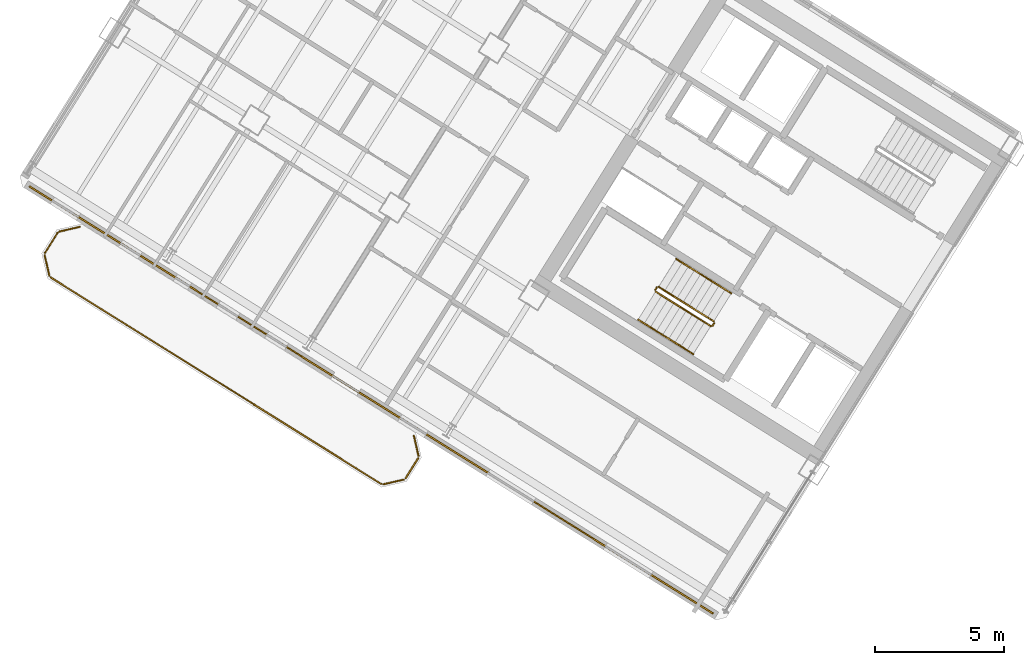
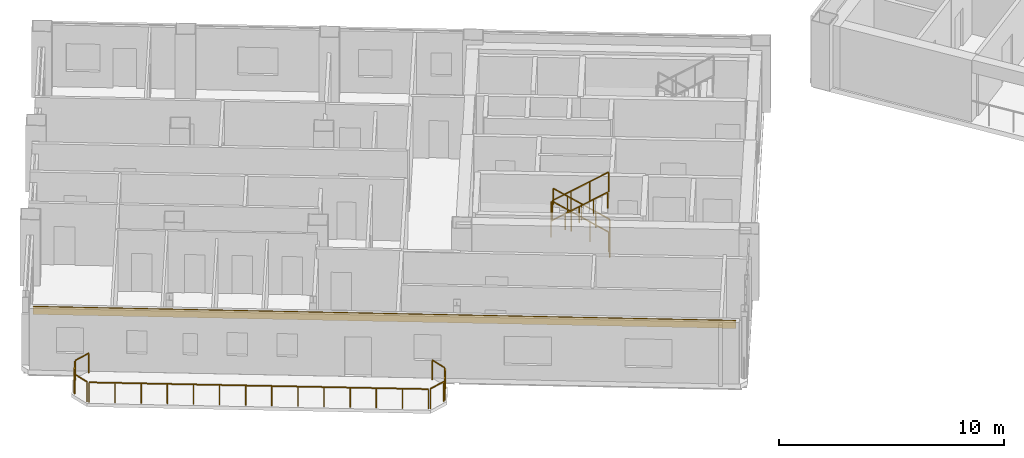
# One storey, part 15 of 19: 15 railings, 1 covering.
"""IFC4 building model written with IfcOpenShell, lengths in metres."""

from ifc_helpers import new_model, si_unit, direction, frame, origin, origin_2d, place, context, subcontext, project, spatial, rectangle, extrude, source, transform, mapped, material, layer, layer_set, type_object, element, save


model = new_model("IFC4")

# Units and contexts
model_context = context("Model", 3, precision=1e-05, world=origin(), true_north=direction((0.0, 1.0)))
body_context = subcontext(model_context, "Body", "Model", "MODEL_VIEW")
ifc_project = project(units=[si_unit("LENGTHUNIT", "METRE"), si_unit("AREAUNIT", "SQUARE_METRE"), si_unit("VOLUMEUNIT", "CUBIC_METRE"), si_unit("PLANEANGLEUNIT", "RADIAN"), si_unit("MASSUNIT", "GRAM", prefix="KILO")], contexts=[model_context])

# Site, building, storey
site_placement = place(None, origin())
site = spatial("IfcSite", under=ifc_project, at=site_placement, CompositionType="ELEMENT")
building_placement = place(site_placement, origin())
building = spatial("IfcBuilding", under=site, at=building_placement, Name="Tlacorven Tower", CompositionType="ELEMENT")
storey_placement = place(building_placement, frame((0.0, 0.0, 144.300048828125)))
storey = spatial("IfcBuildingStorey", under=building, at=storey_placement, Name="L36", CompositionType="ELEMENT", Elevation=144.300048828125)

# Railings
ifc_material_1 = material(Name="Aluminium and painted steel balustrade", Category="steel")
railing_type_1 = type_object("IfcRailingType", Name="RL-BAL-1100", PredefinedType="BALUSTRADE", material=ifc_material_1)
shared_shape_1 = source(origin(), body_context, "Body", "SweptSolid", [
    extrude(rectangle(XDim=0.048095703125, YDim=0.048095703125, at=origin_2d()), frame((0.0, 0.0, 1.076171875), z_axis=(0.225058334816, -0.974345290916, 0.0), x_axis=(0.974345290916, 0.225058334816, 0.0)), (0.0, 0.0, 1.0), 0.80712890625),
    extrude(rectangle(XDim=0.0419921875, YDim=0.0419921875, at=origin_2d()), origin(), (0.0, 0.0, 1.0), 1.052001953125),
    extrude(rectangle(XDim=0.0419921875, YDim=0.0419921875, at=origin_2d()), frame((0.181640625, -0.786376953125, 0.0)), (0.0, 0.0, 1.0), 1.052001953125),
])
railing_1_placement = place(storey_placement, frame((17.5244140625, 13.413330078125, 0.0)))
element("IfcRailing", 1, at=railing_1_placement, inside=storey, type_object=railing_type_1, Name="BAL-L36-W-OUT Guard Railing 1", PredefinedType="BALUSTRADE", context=body_context, shape_type="MappedRepresentation", body=[
    mapped(shared_shape_1, transform((0.0, 0.0, 0.0), scale=1.0)),
])
shared_shape_2 = source(origin(), body_context, "Body", "SweptSolid", [
    extrude(rectangle(XDim=0.048095703125, YDim=0.048095703125, at=origin_2d()), frame((0.0, 0.0, 1.076171875), z_axis=(-0.52987865805, -0.848073468364, 0.0), x_axis=(0.848073468364, -0.52987865805, 0.0)), (0.0, 0.0, 1.0), 0.912353515625),
    extrude(rectangle(XDim=0.0419921875, YDim=0.0419921875, at=origin_2d()), origin(), (0.0, 0.0, 1.0), 1.052001953125),
    extrude(rectangle(XDim=0.0419921875, YDim=0.0419921875, at=origin_2d()), frame((-0.4833984375, -0.773681640625, 0.0)), (0.0, 0.0, 1.0), 1.052001953125),
])
railing_2_placement = place(storey_placement, frame((17.690673828125, 12.535888671875, 0.0)))
element("IfcRailing", 2, at=railing_2_placement, inside=storey, type_object=railing_type_1, Name="BAL-L36-W-OUT Guard Railing 2", PredefinedType="BALUSTRADE", context=body_context, shape_type="MappedRepresentation", body=[
    mapped(shared_shape_2, transform((0.0, 0.0, 0.0), scale=1.0)),
])
shared_shape_3 = source(origin(), body_context, "Body", "SweptSolid", [
    extrude(rectangle(XDim=0.048095703125, YDim=0.048095703125, at=origin_2d()), frame((0.0, 0.0, 1.076171875), z_axis=(-0.974411586182, -0.224771129628, 0.0), x_axis=(0.224771129628, -0.974411586182, 0.0)), (0.0, 0.0, 1.0), 0.80712890625),
    extrude(rectangle(XDim=0.0419921875, YDim=0.0419921875, at=origin_2d()), origin(), (0.0, 0.0, 1.0), 1.052001953125),
    extrude(rectangle(XDim=0.0419921875, YDim=0.0419921875, at=origin_2d()), frame((-0.786376953125, -0.181396484375, 0.0)), (0.0, 0.0, 1.0), 1.052001953125),
])
railing_3_placement = place(storey_placement, frame((17.132080078125, 11.70849609375, 0.0)))
element("IfcRailing", 3, at=railing_3_placement, inside=storey, type_object=railing_type_1, Name="BAL-L36-W-OUT Guard Railing 3", PredefinedType="BALUSTRADE", context=body_context, shape_type="MappedRepresentation", body=[
    mapped(shared_shape_3, transform((0.0, 0.0, 0.0), scale=1.0)),
])
shared_shape_4 = source(origin(), body_context, "Body", "SweptSolid", [
    extrude(rectangle(XDim=0.048095703125, YDim=0.048095703125, at=origin_2d()), frame((0.0, 0.0, 1.076171875), z_axis=(-0.848044572804, 0.529924902733, 0.0), x_axis=(-0.529924902733, -0.848044572804, 0.0)), (0.0, 0.0, 1.0), 15.1171875),
    extrude(rectangle(XDim=0.0419921875, YDim=0.0419921875, at=origin_2d()), origin(), (0.0, 0.0, 1.0), 1.052001953125),
    extrude(rectangle(XDim=0.0419921875, YDim=0.0419921875, at=origin_2d()), frame((-0.986083984375, 0.6162109375, 0.0)), (0.0, 0.0, 1.0), 1.052001953125),
    extrude(rectangle(XDim=0.0419921875, YDim=0.0419921875, at=origin_2d()), frame((-1.972412109375, 1.232421875, 0.0)), (0.0, 0.0, 1.0), 1.052001953125),
    extrude(rectangle(XDim=0.0419921875, YDim=0.0419921875, at=origin_2d()), frame((-2.95849609375, 1.8486328125, 0.0)), (0.0, 0.0, 1.0), 1.052001953125),
    extrude(rectangle(XDim=0.0419921875, YDim=0.0419921875, at=origin_2d()), frame((-3.944580078125, 2.46484375, 0.0)), (0.0, 0.0, 1.0), 1.052001953125),
    extrude(rectangle(XDim=0.0419921875, YDim=0.0419921875, at=origin_2d()), frame((-4.930908203125, 3.0810546875, 0.0)), (0.0, 0.0, 1.0), 1.052001953125),
    extrude(rectangle(XDim=0.0419921875, YDim=0.0419921875, at=origin_2d()), frame((-5.9169921875, 3.697265625, 0.0)), (0.0, 0.0, 1.0), 1.052001953125),
    extrude(rectangle(XDim=0.0419921875, YDim=0.0419921875, at=origin_2d()), frame((-6.903076171875, 4.313720703125, 0.0)), (0.0, 0.0, 1.0), 1.052001953125),
    extrude(rectangle(XDim=0.0419921875, YDim=0.0419921875, at=origin_2d()), frame((-7.88916015625, 4.929931640625, 0.0)), (0.0, 0.0, 1.0), 1.052001953125),
    extrude(rectangle(XDim=0.0419921875, YDim=0.0419921875, at=origin_2d()), frame((-8.87548828125, 5.546142578125, 0.0)), (0.0, 0.0, 1.0), 1.052001953125),
    extrude(rectangle(XDim=0.0419921875, YDim=0.0419921875, at=origin_2d()), frame((-9.861572265625, 6.162353515625, 0.0)), (0.0, 0.0, 1.0), 1.052001953125),
    extrude(rectangle(XDim=0.0419921875, YDim=0.0419921875, at=origin_2d()), frame((-10.84765625, 6.778564453125, 0.0)), (0.0, 0.0, 1.0), 1.052001953125),
    extrude(rectangle(XDim=0.0419921875, YDim=0.0419921875, at=origin_2d()), frame((-11.833984375, 7.394775390625, 0.0)), (0.0, 0.0, 1.0), 1.052001953125),
    extrude(rectangle(XDim=0.0419921875, YDim=0.0419921875, at=origin_2d()), frame((-12.820068359375, 8.010986328125, 0.0)), (0.0, 0.0, 1.0), 1.052001953125),
])
railing_4_placement = place(storey_placement, frame((16.254638671875, 11.542236328125, 0.0)))
element("IfcRailing", 4, at=railing_4_placement, inside=storey, type_object=railing_type_1, Name="BAL-L36-W-OUT Guard Railing 4", PredefinedType="BALUSTRADE", context=body_context, shape_type="MappedRepresentation", body=[
    mapped(shared_shape_4, transform((0.0, 0.0, 0.0), scale=1.0)),
])
shared_shape_5 = source(origin(), body_context, "Body", "SweptSolid", [
    extrude(rectangle(XDim=0.048095703125, YDim=0.048095703125, at=origin_2d()), frame((0.0, 0.0, 1.076171875), z_axis=(-0.225058334816, 0.974345290916, 0.0), x_axis=(-0.974345290916, -0.225058334816, 0.0)), (0.0, 0.0, 1.0), 0.80712890625),
    extrude(rectangle(XDim=0.0419921875, YDim=0.0419921875, at=origin_2d()), origin(), (0.0, 0.0, 1.0), 1.052001953125),
    extrude(rectangle(XDim=0.0419921875, YDim=0.0419921875, at=origin_2d()), frame((-0.181640625, 0.786376953125, 0.0)), (0.0, 0.0, 1.0), 1.052001953125),
])
railing_5_placement = place(storey_placement, frame((3.380859375, 19.62841796875, 0.0)))
element("IfcRailing", 5, at=railing_5_placement, inside=storey, type_object=railing_type_1, Name="BAL-L36-W-OUT Guard Railing 5", PredefinedType="BALUSTRADE", context=body_context, shape_type="MappedRepresentation", body=[
    mapped(shared_shape_5, transform((0.0, 0.0, 0.0), scale=1.0)),
])
shared_shape_6 = source(origin(), body_context, "Body", "SweptSolid", [
    extrude(rectangle(XDim=0.048095703125, YDim=0.048095703125, at=origin_2d()), frame((0.0, 0.0, 1.076171875), z_axis=(0.52987865805, 0.848073468364, 0.0), x_axis=(-0.848073468364, 0.52987865805, 0.0)), (0.0, 0.0, 1.0), 0.912353515625),
    extrude(rectangle(XDim=0.0419921875, YDim=0.0419921875, at=origin_2d()), origin(), (0.0, 0.0, 1.0), 1.052001953125),
    extrude(rectangle(XDim=0.0419921875, YDim=0.0419921875, at=origin_2d()), frame((0.4833984375, 0.773681640625, 0.0)), (0.0, 0.0, 1.0), 1.052001953125),
])
railing_6_placement = place(storey_placement, frame((3.214599609375, 20.505859375, 0.0)))
element("IfcRailing", 6, at=railing_6_placement, inside=storey, type_object=railing_type_1, Name="BAL-L36-W-OUT Guard Railing 6", PredefinedType="BALUSTRADE", context=body_context, shape_type="MappedRepresentation", body=[
    mapped(shared_shape_6, transform((0.0, 0.0, 0.0), scale=1.0)),
])
shared_shape_7 = source(origin(), body_context, "Body", "SweptSolid", [
    extrude(rectangle(XDim=0.048095703125, YDim=0.048095703125, at=origin_2d()), frame((0.0, 0.0, 1.076171875), z_axis=(0.974345290916, 0.225058334816, 0.0), x_axis=(-0.225058334816, 0.974345290916, 0.0)), (0.0, 0.0, 1.0), 0.80712890625),
    extrude(rectangle(XDim=0.0419921875, YDim=0.0419921875, at=origin_2d()), origin(), (0.0, 0.0, 1.0), 1.052001953125),
    extrude(rectangle(XDim=0.0419921875, YDim=0.0419921875, at=origin_2d()), frame((0.786376953125, 0.181640625, 0.0)), (0.0, 0.0, 1.0), 1.052001953125),
])
railing_7_placement = place(storey_placement, frame((3.773193359375, 21.3330078125, 0.0)))
element("IfcRailing", 7, at=railing_7_placement, inside=storey, type_object=railing_type_1, Name="BAL-L36-W-OUT Guard Railing 7", PredefinedType="BALUSTRADE", context=body_context, shape_type="MappedRepresentation", body=[
    mapped(shared_shape_7, transform((0.0, 0.0, 0.0), scale=1.0)),
])

# Covering
ifc_material_2 = material(Name="Precast concrete C45/55", Category="concrete")
ifc_layer = layer(ifc_material_2, 0.06005859375)
ifc_layer_set = layer_set([ifc_layer], Name="Precast concrete C45/55")
covering_type = type_object("IfcCoveringType", Name="CV-CLD-TERC", PredefinedType="CLADDING", material=ifc_layer_set)
shared_shape_8 = source(origin(), body_context, "Body", "SweptSolid", [
    extrude(rectangle(XDim=31.287353515625, YDim=0.06005859375, at=origin_2d()), origin(), (0.0, 0.0, 1.0), 0.419921875),
])
covering_placement = place(storey_placement, frame((15.8740234375, 14.798828125, 2.929931640625), z_axis=(0.0, 0.0, 1.0), x_axis=(-0.84804812172, 0.529919223323, 0.0)))
element("IfcCovering", 8, at=covering_placement, inside=storey, type_object=covering_type, Name="L36 Masonry-Frame Spandrel Cladding 1", PredefinedType="CLADDING", context=body_context, shape_type="MappedRepresentation", body=[
    mapped(shared_shape_8, transform((0.0, 0.0, 0.0), scale=1.0)),
])

# Railings
railing_type_2 = type_object("IfcRailingType", Name="RL-GRD-1100", PredefinedType="GUARDRAIL", material=ifc_material_1)
shared_shape_9 = source(origin(), body_context, "Body", "SweptSolid", [
    extrude(rectangle(XDim=0.048095703125, YDim=0.048095703125, at=origin_2d()), frame((0.0, 0.0, 1.076171875), z_axis=(-0.529084052582, -0.848569422795, 0.0), x_axis=(0.848569422795, -0.529084052582, 0.0)), (0.0, 0.0, 1.0), 0.119873046875),
    extrude(rectangle(XDim=0.0419921875, YDim=0.0419921875, at=origin_2d()), origin(), (0.0, 0.0, 1.0), 1.052001953125),
    extrude(rectangle(XDim=0.0419921875, YDim=0.0419921875, at=origin_2d()), frame((-0.0634765625, -0.101806640625, 0.0)), (0.0, 0.0, 1.0), 1.052001953125),
])
railing_8_placement = place(storey_placement, frame((29.176513671875, 17.782958984375, 0.0)))
element("IfcRailing", 9, at=railing_8_placement, inside=storey, type_object=railing_type_2, Name="L36 ST-W1 stair guard 4", PredefinedType="GUARDRAIL", context=body_context, shape_type="MappedRepresentation", body=[
    mapped(shared_shape_9, transform((0.0, 0.0, 0.0), scale=1.0)),
])
shared_shape_10 = source(origin(), body_context, "Body", "SweptSolid", [
    extrude(rectangle(XDim=0.048095703125, YDim=0.048095703125, at=origin_2d()), frame((0.0, 0.0, 1.076171875), z_axis=(-0.713319727316, 0.445773895627, 0.540796265334), x_axis=(-0.529955395941, -0.84802551749, 0.0)), (0.0, 0.0, 1.0), 2.995849609375),
    extrude(rectangle(XDim=0.0419921875, YDim=0.0419921875, at=origin_2d()), origin(), (0.0, 0.0, 1.0), 1.052001953125),
    extrude(rectangle(XDim=0.0419921875, YDim=0.0419921875, at=origin_2d()), frame((-0.71240234375, 0.445068359375, 0.5400390625)), (0.0, 0.0, 1.0), 1.052001953125),
    extrude(rectangle(XDim=0.0419921875, YDim=0.0419921875, at=origin_2d()), frame((-1.424560546875, 0.890380859375, 1.080078125)), (0.0, 0.0, 1.0), 1.052001953125),
    extrude(rectangle(XDim=0.0419921875, YDim=0.0419921875, at=origin_2d()), frame((-2.136962890625, 1.33544921875, 1.6201171875)), (0.0, 0.0, 1.0), 1.052001953125),
])
railing_9_placement = place(storey_placement, frame((29.16064453125, 17.851806640625, 0.179931640625)))
element("IfcRailing", 10, at=railing_9_placement, inside=storey, type_object=railing_type_2, Name="L36 ST-W1 stair guard 1", PredefinedType="GUARDRAIL", context=body_context, shape_type="MappedRepresentation", body=[
    mapped(shared_shape_10, transform((0.0, 0.0, 0.0), scale=1.0)),
])
shared_shape_11 = source(origin(), body_context, "Body", "SweptSolid", [
    extrude(rectangle(XDim=0.048095703125, YDim=0.048095703125, at=origin_2d()), frame((0.0, 0.0, 1.076171875), z_axis=(-0.530546985787, -0.847655529016, 0.0), x_axis=(0.847655529016, -0.530546985787, 0.0)), (0.0, 0.0, 1.0), 0.1201171875),
    extrude(rectangle(XDim=0.0419921875, YDim=0.0419921875, at=origin_2d()), origin(), (0.0, 0.0, 1.0), 1.052001953125),
    extrude(rectangle(XDim=0.0419921875, YDim=0.0419921875, at=origin_2d()), frame((-0.063720703125, -0.101806640625, 0.0)), (0.0, 0.0, 1.0), 1.052001953125),
])
railing_10_placement = place(storey_placement, frame((26.954833984375, 19.17138671875, 1.800048828125)))
element("IfcRailing", 11, at=railing_10_placement, inside=storey, type_object=railing_type_2, Name="L36 ST-W1 stair guard 2", PredefinedType="GUARDRAIL", context=body_context, shape_type="MappedRepresentation", body=[
    mapped(shared_shape_11, transform((0.0, 0.0, 0.0), scale=1.0)),
])
railing_type_3 = type_object("IfcRailingType", Name="RL-HND-0900", PredefinedType="HANDRAIL", material=ifc_material_1)
shared_shape_12 = source(origin(), body_context, "Body", "SweptSolid", [
    extrude(rectangle(XDim=0.048095703125, YDim=0.048095703125, at=origin_2d()), frame((0.0, 0.0, 0.8759765625), z_axis=(-0.713359751793, 0.4457479829, 0.540764828981), x_axis=(-0.529911857636, -0.848052724267, 0.0)), (0.0, 0.0, 1.0), 1.498046875),
    extrude(rectangle(XDim=0.0419921875, YDim=0.0419921875, at=origin_2d()), origin(), (0.0, 0.0, 1.0), 0.851806640625),
    extrude(rectangle(XDim=0.0419921875, YDim=0.0419921875, at=origin_2d()), frame((-0.5341796875, 0.333984375, 0.405029296875)), (0.0, 0.0, 1.0), 0.851806640625),
    extrude(rectangle(XDim=0.0419921875, YDim=0.0419921875, at=origin_2d()), frame((-1.068603515625, 0.667724609375, 0.81005859375)), (0.0, 0.0, 1.0), 0.851806640625),
])
for number, where, name in (
    (12, (29.839111328125, 18.937255859375, 0.179931640625), "L36 ST-W1 stair handrail 1"),
    (13, (28.7705078125, 19.60498046875, 0.989990234375), "L36 ST-W1 stair handrail 2"),
):
    element("IfcRailing", number, at=place(storey_placement, frame(where)), inside=storey, type_object=railing_type_3, Name=name, PredefinedType="HANDRAIL", context=body_context, shape_type="MappedRepresentation", body=[
        mapped(shared_shape_12, transform((0.0, 0.0, 0.0), scale=1.0)),
    ])
shared_shape_13 = source(origin(), body_context, "Body", "SweptSolid", [
    extrude(rectangle(XDim=0.048095703125, YDim=0.048095703125, at=origin_2d()), frame((0.0, 0.0, 0.8759765625), z_axis=(0.713359751793, -0.4457479829, 0.540764828981), x_axis=(0.529911857636, 0.848052724267, 0.0)), (0.0, 0.0, 1.0), 1.498046875),
    extrude(rectangle(XDim=0.0419921875, YDim=0.0419921875, at=origin_2d()), origin(), (0.0, 0.0, 1.0), 0.851806640625),
    extrude(rectangle(XDim=0.0419921875, YDim=0.0419921875, at=origin_2d()), frame((0.5341796875, -0.333984375, 0.405029296875)), (0.0, 0.0, 1.0), 0.851806640625),
    extrude(rectangle(XDim=0.0419921875, YDim=0.0419921875, at=origin_2d()), frame((1.068603515625, -0.667724609375, 0.81005859375)), (0.0, 0.0, 1.0), 0.851806640625),
])
railing_11_placement = place(storey_placement, frame((26.228759765625, 17.915283203125, 1.97998046875)))
element("IfcRailing", 14, at=railing_11_placement, inside=storey, type_object=railing_type_3, Name="L36 ST-W1 stair handrail 3", PredefinedType="HANDRAIL", context=body_context, shape_type="MappedRepresentation", body=[
    mapped(shared_shape_13, transform((0.0, 0.0, 0.0), scale=1.0)),
])
shared_shape_14 = source(origin(), body_context, "Body", "SweptSolid", [
    extrude(rectangle(XDim=0.048095703125, YDim=0.048095703125, at=origin_2d()), frame((0.0, 0.0, 1.076171875), z_axis=(0.71339118691, -0.44576762536, 0.540707165313), x_axis=(0.529911857636, 0.848052724267, 0.0)), (0.0, 0.0, 1.0), 2.995849609375),
    extrude(rectangle(XDim=0.0419921875, YDim=0.0419921875, at=origin_2d()), origin(), (0.0, 0.0, 1.0), 1.052001953125),
    extrude(rectangle(XDim=0.0419921875, YDim=0.0419921875, at=origin_2d()), frame((0.71240234375, -0.445068359375, 0.5400390625)), (0.0, 0.0, 1.0), 1.052001953125),
    extrude(rectangle(XDim=0.0419921875, YDim=0.0419921875, at=origin_2d()), frame((1.4248046875, -0.890380859375, 1.079833984375)), (0.0, 0.0, 1.0), 1.052001953125),
    extrude(rectangle(XDim=0.0419921875, YDim=0.0419921875, at=origin_2d()), frame((2.13720703125, -1.33544921875, 1.619873046875)), (0.0, 0.0, 1.0), 1.052001953125),
])
railing_12_placement = place(storey_placement, frame((26.906982421875, 19.000732421875, 1.97998046875)))
element("IfcRailing", 15, at=railing_12_placement, inside=storey, type_object=railing_type_2, Name="L36 ST-W1 stair guard 3", PredefinedType="GUARDRAIL", context=body_context, shape_type="MappedRepresentation", body=[
    mapped(shared_shape_14, transform((0.0, 0.0, 0.0), scale=1.0)),
])
shared_shape_15 = source(origin(), body_context, "Body", "SweptSolid", [
    extrude(rectangle(XDim=0.048095703125, YDim=0.048095703125, at=origin_2d()), frame((0.0, 0.0, 0.8759765625), z_axis=(0.713342573076, -0.445839108173, 0.540712366292), x_axis=(0.529998940003, 0.847998304005, 0.0)), (0.0, 0.0, 1.0), 1.49755859375),
    extrude(rectangle(XDim=0.0419921875, YDim=0.0419921875, at=origin_2d()), origin(), (0.0, 0.0, 1.0), 0.851806640625),
    extrude(rectangle(XDim=0.0419921875, YDim=0.0419921875, at=origin_2d()), frame((0.5341796875, -0.333984375, 0.40478515625)), (0.0, 0.0, 1.0), 0.851806640625),
    extrude(rectangle(XDim=0.0419921875, YDim=0.0419921875, at=origin_2d()), frame((1.068359375, -0.667724609375, 0.809814453125)), (0.0, 0.0, 1.0), 0.851806640625),
])
railing_13_placement = place(storey_placement, frame((27.29736328125, 17.24755859375, 2.7900390625)))
element("IfcRailing", 16, at=railing_13_placement, inside=storey, type_object=railing_type_3, Name="L36 ST-W1 stair handrail 4", PredefinedType="HANDRAIL", context=body_context, shape_type="MappedRepresentation", body=[
    mapped(shared_shape_15, transform((0.0, 0.0, 0.0), scale=1.0)),
])

save(model, "model.ifc")
